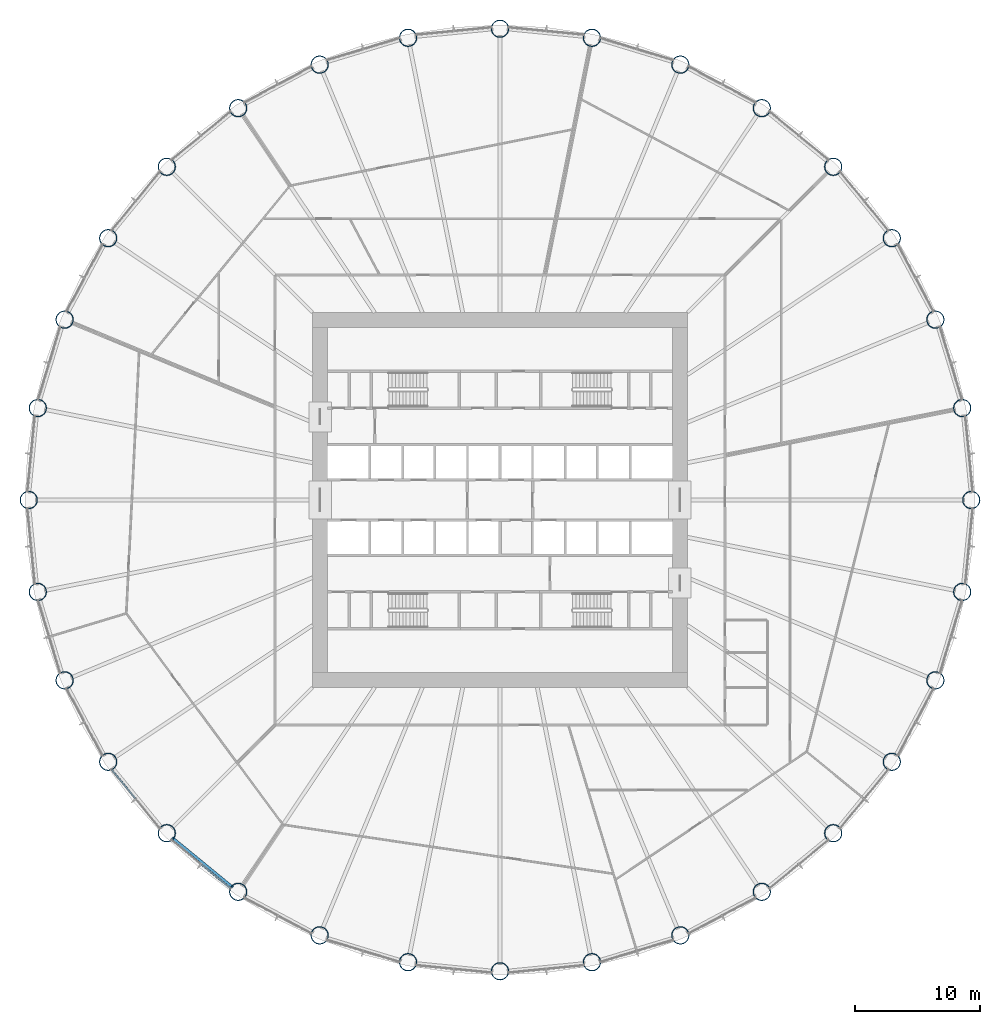
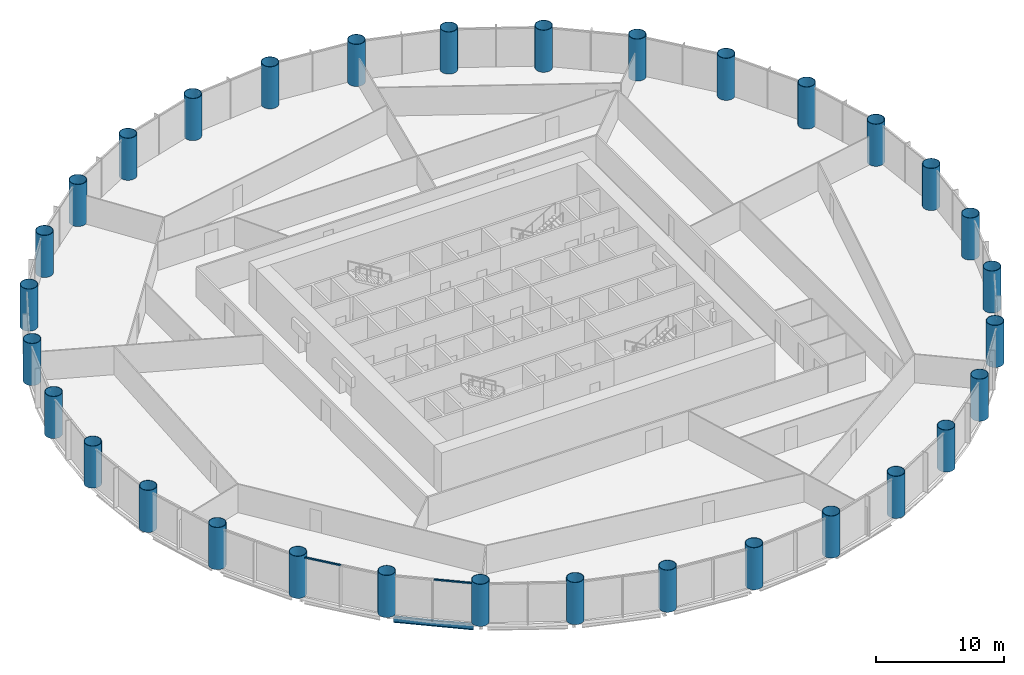
# One storey, part 1 of 15: 32 columns, 2 members, 1 beam, 2 elements without a shape of their own.
"""IFC4 building model written with IfcOpenShell, lengths in metres."""

from ifc_helpers import new_model, si_unit, direction, frame, origin, origin_2d, place, context, subcontext, project, spatial, rectangle, hollow_circle, i_section, extrude, material, material_profile, profile_set, type_object, element, aggregate, save


model = new_model("IFC4")

# Units and contexts
model_context = context("Model", 3, precision=1e-05, world=origin(), true_north=direction((0.0, 1.0)))
body_context = subcontext(model_context, "Body", "Model", "MODEL_VIEW")
ifc_project = project(units=[si_unit("LENGTHUNIT", "METRE"), si_unit("AREAUNIT", "SQUARE_METRE"), si_unit("VOLUMEUNIT", "CUBIC_METRE"), si_unit("PLANEANGLEUNIT", "RADIAN"), si_unit("MASSUNIT", "GRAM", prefix="KILO")], contexts=[model_context])

# Site, building, storey
site_placement = place(None, origin())
site = spatial("IfcSite", under=ifc_project, at=site_placement, CompositionType="ELEMENT")
building_placement = place(site_placement, origin())
building = spatial("IfcBuilding", under=site, at=building_placement, Name="Corvane Civic Tower", CompositionType="ELEMENT")
storey_placement = place(building_placement, frame((0.0, 0.0, 69.0)))
storey = spatial("IfcBuildingStorey", under=building, at=storey_placement, Name="L15", CompositionType="ELEMENT", Elevation=69.0)

# Columns
ifc_material_1 = material(Name="Steel ASTM A572 Gr 50", Category="steel")
ifc_material_profile_1 = material_profile(ifc_material_1, hollow_circle(Radius=0.699951171875, WallThickness=0.0400390625, at=origin_2d()), Name="CHS1400X40")
ifc_profile_set_1 = profile_set([ifc_material_profile_1], Name="Steel ASTM A572 Gr 50")
column_type = type_object("IfcColumnType", Name="COMPOSITE COLUMN CHS1400X40", PredefinedType="COLUMN", material=ifc_profile_set_1)
for number, where, z_axis, x_axis, name in (
    (1, (0.0, 37.699951171875, 0.0), (0.0, 0.0, 1.0), (1.0, 0.0, 0.0), "COL-L15-A01"),
    (2, (7.35498046875, 36.9755859375, 0.0), (0.0, 0.0, 1.0), (1.0, 0.0, 0.0), "COL-L15-A02"),
    (3, (14.42724609375, 34.830322265625, 0.0), (0.0, 0.0, 1.0), (1.0, 0.0, 0.0), "COL-L15-A03"),
    (4, (20.945068359375, 31.346435546875, 0.0), (0.0, 0.0, 1.0), (1.0, 0.0, 0.0), "COL-L15-A04"),
    (5, (26.657958984375, 26.657958984375, 0.0), (0.0, 0.0, 1.0), (1.0, 0.0, 0.0), "COL-L15-A05"),
    (6, (31.346435546875, 20.945068359375, 0.0), (0.0, 0.0, 1.0), (1.0, 0.0, 0.0), "COL-L15-A06"),
    (7, (34.830322265625, 14.42724609375, 0.0), (0.0, 0.0, 1.0), (1.0, 0.0, 0.0), "COL-L15-A07"),
    (8, (36.9755859375, 7.35498046875, 0.0), (0.0, 0.0, 1.0), (1.0, 0.0, 0.0), "COL-L15-A08"),
    (9, (37.699951171875, 0.0, 0.0), (0.0, 0.0, 1.0), (1.0, 0.0, 0.0), "COL-L15-A09"),
    (10, (36.9755859375, -7.35498046875, 0.0), (0.0, 0.0, 1.0), (1.0, 0.0, 0.0), "COL-L15-A10"),
    (11, (34.830322265625, -14.42724609375, 0.0), (0.0, 0.0, 1.0), (1.0, 0.0, 0.0), "COL-L15-A11"),
    (12, (31.346435546875, -20.945068359375, 0.0), (0.0, 0.0, 1.0), (1.0, 0.0, 0.0), "COL-L15-A12"),
    (13, (26.657958984375, -26.657958984375, 0.0), (0.0, 0.0, 1.0), (1.0, 0.0, 0.0), "COL-L15-A13"),
    (14, (20.945068359375, -31.346435546875, 0.0), (0.0, 0.0, 1.0), (1.0, 0.0, 0.0), "COL-L15-A14"),
    (15, (14.42724609375, -34.830322265625, 0.0), (0.0, 0.0, 1.0), (1.0, 0.0, 0.0), "COL-L15-A15"),
    (16, (7.35498046875, -36.9755859375, 0.0), (0.0, 0.0, 1.0), (1.0, 0.0, 0.0), "COL-L15-A16"),
    (17, (0.0, -37.699951171875, 0.0), (0.0, 0.0, 1.0), (1.0, 0.0, 0.0), "COL-L15-A17"),
    (18, (-7.35498046875, -36.9755859375, 0.0), (0.0, 0.0, 1.0), (1.0, 0.0, 0.0), "COL-L15-A18"),
    (19, (-14.42724609375, -34.830322265625, 0.0), (0.0, 0.0, 1.0), (1.0, 0.0, 0.0), "COL-L15-A19"),
    (20, (-20.945068359375, -31.346435546875, 0.0), (0.0, 0.0, 1.0), (1.0, 0.0, 0.0), "COL-L15-A20"),
    (21, (-26.657958984375, -26.657958984375, 0.0), (0.0, 0.0, 1.0), (1.0, 0.0, 0.0), "COL-L15-A21"),
    (22, (-31.346435546875, -20.945068359375, 0.0), (0.0, 0.0, 1.0), (1.0, 0.0, 0.0), "COL-L15-A22"),
    (23, (-34.830322265625, -14.42724609375, 0.0), (0.0, 0.0, 1.0), (1.0, 0.0, 0.0), "COL-L15-A23"),
    (24, (-36.9755859375, -7.35498046875, 0.0), (0.0, 0.0, 1.0), (1.0, 0.0, 0.0), "COL-L15-A24"),
    (25, (-37.699951171875, 0.0, 0.0), (0.0, 0.0, 1.0), (1.0, 0.0, 0.0), "COL-L15-A25"),
    (26, (-36.9755859375, 7.35498046875, 0.0), (0.0, 0.0, 1.0), (1.0, 0.0, 0.0), "COL-L15-A26"),
    (27, (-34.830322265625, 14.42724609375, 0.0), (0.0, 0.0, 1.0), (1.0, 0.0, 0.0), "COL-L15-A27"),
    (28, (-31.346435546875, 20.945068359375, 0.0), (0.0, 0.0, 1.0), (1.0, 0.0, 0.0), "COL-L15-A28"),
    (29, (-26.657958984375, 26.657958984375, 0.0), (0.0, 0.0, 1.0), (1.0, 0.0, 0.0), "COL-L15-A29"),
    (30, (-20.945068359375, 31.346435546875, 0.0), (0.0, 0.0, 1.0), (1.0, 0.0, 0.0), "COL-L15-A30"),
    (31, (-14.42724609375, 34.830322265625, 0.0), (0.0, 0.0, 1.0), (1.0, 0.0, 0.0), "COL-L15-A31"),
    (32, (-7.35498046875, 36.9755859375, 0.0), (0.0, 0.0, 1.0), (1.0, 0.0, 0.0), "COL-L15-A32"),
):
    element("IfcColumn", number, at=place(storey_placement, frame(where, z_axis=z_axis, x_axis=x_axis)), inside=storey, type_object=column_type, Name=name, PredefinedType="COLUMN", context=body_context, shape_type="SweptSolid", body=[
        extrude(hollow_circle(Radius=0.699951171875, WallThickness=0.0400390625, at=origin_2d()), origin(), (0.0, 0.0, 1.0), 4.0),
    ])

# Beam
ifc_material_2 = material(Name="Steel ASTM A992 Gr 50", Category="steel")
ifc_material_profile_2 = material_profile(ifc_material_2, i_section(OverallWidth=0.209228515625, OverallDepth=0.533447265625, WebThickness=0.01025390625, FlangeThickness=0.015625, at=origin_2d()), Name="W21X62")
ifc_profile_set_2 = profile_set([ifc_material_profile_2], Name="Steel ASTM A992 Gr 50")
beam_type = type_object("IfcBeamType", Name="EDGE BEAM W21X62", PredefinedType="BEAM", material=ifc_profile_set_2)
beam_placement = place(storey_placement, frame((-21.3701171875, -30.99755859375, -0.566650390625), z_axis=(-0.773015785286, 0.634386787141, 0.0), x_axis=(-0.634386787141, -0.773015785286, 0.0)))
element("IfcBeam", 33, at=beam_placement, inside=storey, type_object=beam_type, Name="BM-L15-E20", PredefinedType="BEAM", context=body_context, shape_type="SweptSolid", body=[
    extrude(i_section(OverallWidth=0.209228515625, OverallDepth=0.533447265625, WebThickness=0.01025390625, FlangeThickness=0.015625, at=origin_2d()), origin(), (0.0, 0.0, 1.0), 6.290771484375),
])

# Curtain wall, member
ifc_material_3 = material(Name="Anodised aluminium bronze", Category="aluminium")
curtain_wall_type = type_object("IfcCurtainWallType", Name="TOWER CW-T1 STICK CURTAIN WALL", PredefinedType="NOTDEFINED", material=ifc_material_3)
curtain_wall_1_placement = place(storey_placement, origin())
curtain_wall_1 = element("IfcCurtainWall", 34, at=curtain_wall_1_placement, inside=storey, type_object=curtain_wall_type, Name="Curtain wall CW-T1 L15 bay 20", PredefinedType="NOTDEFINED")
ifc_material_4 = material(Name="Anodised aluminium bronze", Category="aluminium")
ifc_material_profile_3 = material_profile(ifc_material_4, rectangle(XDim=0.139892578125, YDim=0.1201171875, at=origin_2d()), Name="TOWER CW-T1 TRANSOM 140x120")
ifc_profile_set_3 = profile_set([ifc_material_profile_3], Name="Anodised aluminium bronze")
member_type = type_object("IfcMemberType", Name="TOWER CW-T1 TRANSOM 140x120", PredefinedType="USERDEFINED", material=ifc_profile_set_3)
member_1_placement = place(storey_placement, frame((-21.55859375, -31.074462890625, 3.68994140625), z_axis=(-0.773041738279, 0.634355161466, 0.0), x_axis=(-0.634355161466, -0.773041738279, 0.0)))
member_1 = element("IfcMember", 35, at=member_1_placement, type_object=member_type, Name="Transom CW-T1 L15 20.1", ObjectType="TRANSOM", PredefinedType="USERDEFINED", context=body_context, shape_type="SweptSolid", body=[
    extrude(rectangle(XDim=0.139892578125, YDim=0.1201171875, at=origin_2d()), origin(), (0.0, 0.0, 1.0), 3.008544921875),
])
aggregate(curtain_wall_1, [member_1])

curtain_wall_2_placement = place(storey_placement, origin())
curtain_wall_2 = element("IfcCurtainWall", 36, at=curtain_wall_2_placement, inside=storey, type_object=curtain_wall_type, Name="Curtain wall CW-T1 L15 bay 21", PredefinedType="NOTDEFINED")
member_2_placement = place(storey_placement, frame((-29.166015625, -23.88427734375, 3.68994140625), z_axis=(-0.634355161466, 0.773041738279, 0.0), x_axis=(-0.773041738279, -0.634355161466, 0.0)))
member_2 = element("IfcMember", 37, at=member_2_placement, type_object=member_type, Name="Transom CW-T1 L15 21.2", ObjectType="TRANSOM", PredefinedType="USERDEFINED", context=body_context, shape_type="SweptSolid", body=[
    extrude(rectangle(XDim=0.139892578125, YDim=0.1201171875, at=origin_2d()), origin(), (0.0, 0.0, 1.0), 3.008544921875),
])
aggregate(curtain_wall_2, [member_2])

save(model, "model.ifc")
